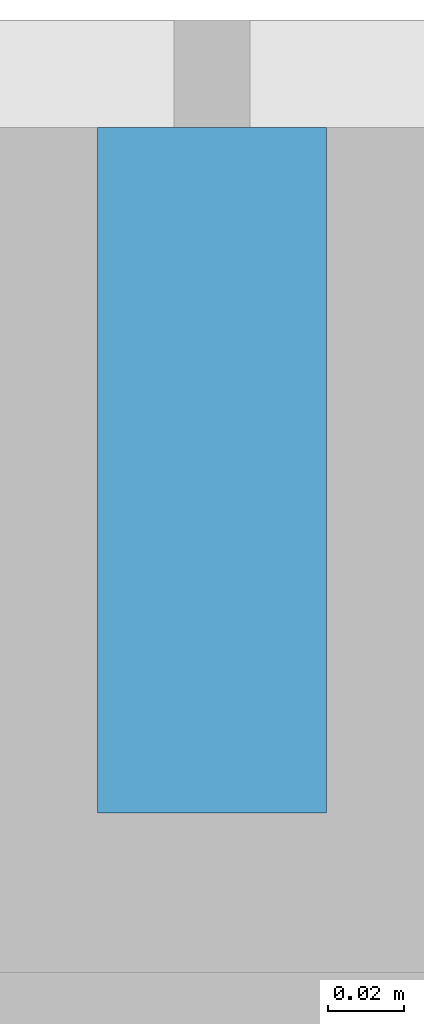
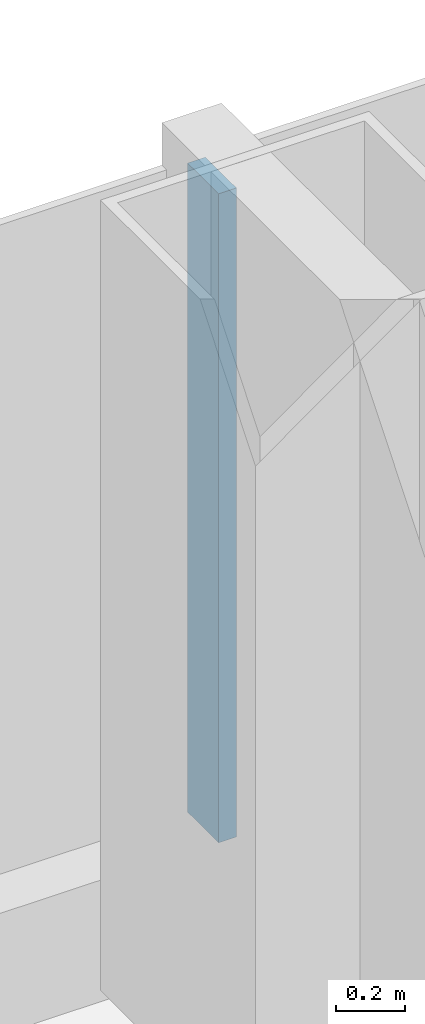
# One storey, part 7 of 29: 1 member, 1 element without a shape of its own.
"""IFC4 building model written with IfcOpenShell, lengths in metres."""

import ifcopenshell
import ifcopenshell.guid

model = None  # the IFC model being written
_history = None  # IfcOwnerHistory: only IFC2X3 demands one
_inside = {}  # id of a spatial element -> (the spatial element, [elements in it])
_under = {}  # id of a project, library or spatial element -> (it, [spatial elements below it])
_declared = {}  # id of a project -> (the project, [libraries it declares])
_typed = {}  # id of a type object -> (the type object, [elements of that type])
_made_of = {}  # id of a material, layer set ... -> (it, [elements and type objects made of it])


def new_model(schema):
    """Start an empty IFC model of exactly this schema.

    Asked for "IFC4X3", IfcOpenShell would pick the latest addendum, in which some entities
    have other attributes; the version numbers below select the first issue.
    IFC2X3 requires an IfcOwnerHistory on every rooted entity: one is made here for all.
    """
    global model, _history
    if schema == "IFC4X3":
        model = ifcopenshell.file(schema_version=(4, 3, 0, 0))
    else:
        model = ifcopenshell.file(schema=schema)
    _inside.clear()
    _under.clear()
    _declared.clear()
    _typed.clear()
    _made_of.clear()
    _history = None
    if model.schema == "IFC2X3":
        org = make("IfcOrganization", Name="unknown")
        user = make(
            "IfcPersonAndOrganization",
            ThePerson=make("IfcPerson", FamilyName="unknown"),
            TheOrganization=org,
        )
        app = make(
            "IfcApplication",
            ApplicationDeveloper=org,
            Version="unknown",
            ApplicationFullName="unknown",
            ApplicationIdentifier="unknown",
        )
        _history = make(
            "IfcOwnerHistory",
            OwningUser=user,
            OwningApplication=app,
            ChangeAction="ADDED",
            CreationDate=0,
        )
    return model


def make(cls, **values):
    """One entity of the class cls with the attributes given. An attribute that is None is left unset."""
    return model.create_entity(
        cls, **{name: value for name, value in values.items() if value is not None}
    )


def rooted(cls, **values):
    """An entity with a GlobalId (a new one), such as an element, a storey or a relation."""
    return make(cls, GlobalId=ifcopenshell.guid.new(), OwnerHistory=_history, **values)


def si_unit(unit_type, name, prefix=None):
    """IfcSIUnit, for example si_unit("LENGTHUNIT", "METRE", prefix="MILLI")."""
    return make("IfcSIUnit", UnitType=unit_type, Prefix=prefix, Name=name)


def assignment(units):
    """IfcUnitAssignment: the units of a project."""
    return None if units is None else make("IfcUnitAssignment", Units=units)


def point(xyz):
    """IfcCartesianPoint."""
    return None if xyz is None else make("IfcCartesianPoint", Coordinates=xyz)


def direction(xyz):
    """IfcDirection."""
    return None if xyz is None else make("IfcDirection", DirectionRatios=xyz)


def frame(location, z_axis=None, x_axis=None):
    """IfcAxis2Placement3D, a coordinate frame: its origin and axes. An axis left out is left unset."""
    return make(
        "IfcAxis2Placement3D",
        Location=point(location),
        Axis=direction(z_axis),
        RefDirection=direction(x_axis),
    )


def frame_2d(location, x_axis=None):
    """IfcAxis2Placement2D, a coordinate frame in the plane: its origin and x axis."""
    return make(
        "IfcAxis2Placement2D", Location=point(location), RefDirection=direction(x_axis)
    )


def origin():
    """The frame at (0, 0, 0) with its axes left unset."""
    return frame((0.0, 0.0, 0.0))


def origin_2d():
    """The frame at (0, 0) in the plane with its x axis left unset."""
    return frame_2d((0.0, 0.0))


def place(relative_to, where):
    """IfcLocalPlacement: puts the frame where relative to a parent placement (None: the world)."""
    return make(
        "IfcLocalPlacement", PlacementRelTo=relative_to, RelativePlacement=where
    )


def context(
    kind, dimensions, precision=None, world=None, true_north=None, identifier=None
):
    """IfcGeometricRepresentationContext, for example the 3D "Model" context."""
    return make(
        "IfcGeometricRepresentationContext",
        ContextIdentifier=identifier,
        ContextType=kind,
        CoordinateSpaceDimension=dimensions,
        Precision=precision,
        WorldCoordinateSystem=world,
        TrueNorth=true_north,
    )


def subcontext(parent, identifier, kind, view, scale=None):
    """IfcGeometricRepresentationSubContext, for example "Body" below "Model"."""
    return make(
        "IfcGeometricRepresentationSubContext",
        ContextIdentifier=identifier,
        ContextType=kind,
        ParentContext=parent,
        TargetScale=scale,
        TargetView=view,
    )


def project(units=None, contexts=None):
    """IfcProject with its units and contexts."""
    return rooted(
        "IfcProject",
        Name="project",
        RepresentationContexts=contexts,
        UnitsInContext=assignment(units),
    )


def spatial(cls, under=None, at=None, **own):
    """A site, building, storey or space (cls), placed at a placement, below another one or the project."""
    s = rooted(cls, ObjectPlacement=at, **own)
    if under is not None:
        _under.setdefault(under.id(), (under, []))[1].append(s)
    return s


def profile(cls, at=None, kind="AREA", **sizes):
    """A parametric profile (cls). Its sizes go by their IFC names, for example OverallWidth=200.0."""
    return make(cls, ProfileType=kind, Position=at, **sizes)


def rectangle(**sizes):
    """IfcRectangleProfileDef."""
    return profile("IfcRectangleProfileDef", **sizes)


def extrude(swept, where, along, depth):
    """IfcExtrudedAreaSolid: the profile swept, set in the frame where, extruded along a direction by depth."""
    return make(
        "IfcExtrudedAreaSolid",
        SweptArea=swept,
        Position=where,
        ExtrudedDirection=direction(along),
        Depth=depth,
    )


def shape(context_of_items, identifier, shape_type, items):
    """IfcShapeRepresentation: the items that make up one representation, for example the "Body"."""
    return make(
        "IfcShapeRepresentation",
        ContextOfItems=context_of_items,
        RepresentationIdentifier=identifier,
        RepresentationType=shape_type,
        Items=items,
    )


def material(Name=None, Category=None):
    """IfcMaterial."""
    return make("IfcMaterial", Name=Name, Category=Category)


def layer(
    of_material, thickness, ventilated=None, Name=None, Category=None, Priority=None
):
    """IfcMaterialLayer: one layer of a wall or slab, of a material (None: an air gap)."""
    return make(
        "IfcMaterialLayer",
        Material=of_material,
        LayerThickness=thickness,
        IsVentilated=ventilated,
        Name=Name,
        Category=Category,
        Priority=Priority,
    )


def layer_set(layers, Name=None):
    """IfcMaterialLayerSet."""
    return make("IfcMaterialLayerSet", MaterialLayers=layers, LayerSetName=Name)


def material_profile(
    of_material, cross_section, Name=None, Category=None, Priority=None
):
    """IfcMaterialProfile: a cross section and its material."""
    return make(
        "IfcMaterialProfile",
        Name=Name,
        Material=of_material,
        Profile=cross_section,
        Priority=Priority,
        Category=Category,
    )


def profile_set(profiles, Name=None, composite=None):
    """IfcMaterialProfileSet."""
    return make(
        "IfcMaterialProfileSet",
        Name=Name,
        MaterialProfiles=profiles,
        CompositeProfile=composite,
    )


def made_of(thing, what):
    """Note that an element or type object is made of a material, layer set ...; save() writes the relation."""
    if what is not None:
        _made_of.setdefault(what.id(), (what, []))[1].append(thing)
    return thing


def type_object(cls, material=None, **own):
    """A type object (cls), such as IfcWallType, which elements share."""
    return made_of(rooted(cls, **own), material)


def element(
    cls,
    number,
    at=None,
    inside=None,
    cuts=None,
    type_object=None,
    material=None,
    context=None,
    identifier="Body",
    shape_type=None,
    held_by="IfcProductDefinitionShape",
    body=None,
    shapes=None,
    **own,
):
    """One element of the class cls, such as IfcWall. Its Tag is "e" and its number.

    at: its placement. inside: the storey or other place that contains it. cuts: it is an
    opening in that element (IfcRelVoidsElement). A single representation is given by context,
    identifier, shape_type and body (its items); several are given by shapes. held_by: the class
    of the entity that holds the representations. save() writes the other relations.
    """
    e = rooted(cls, Tag="e%d" % number, ObjectPlacement=at, **own)
    if body is not None:
        shapes = [shape(context, identifier, shape_type, body)]
    if shapes is not None:
        e.Representation = make(held_by, Representations=shapes)
    if inside is not None:
        _inside.setdefault(inside.id(), (inside, []))[1].append(e)
    if cuts is not None:
        rooted(
            "IfcRelVoidsElement", RelatingBuildingElement=cuts, RelatedOpeningElement=e
        )
    if type_object is not None:
        _typed.setdefault(type_object.id(), (type_object, []))[1].append(e)
    return made_of(e, material)


def aggregate(whole, parts):
    """IfcRelAggregates: a whole, such as a stair, and the parts it consists of."""
    return rooted("IfcRelAggregates", RelatingObject=whole, RelatedObjects=parts)


def save(model, path):
    """Write the relations noted so far, then the file.

    IfcRelAggregates (storeys below a building ...), IfcRelContainedInSpatialStructure (elements
    in a storey), IfcRelDefinesByType, IfcRelAssociatesMaterial and IfcRelDeclares: one each for
    every whole, place, type object, material and project.
    """
    for whole, parts in _under.values():
        aggregate(whole, parts)
    for where, things in _inside.values():
        rooted(
            "IfcRelContainedInSpatialStructure",
            RelatedElements=things,
            RelatingStructure=where,
        )
    for kind, things in _typed.values():
        rooted("IfcRelDefinesByType", RelatedObjects=things, RelatingType=kind)
    for what, things in _made_of.values():
        rooted("IfcRelAssociatesMaterial", RelatedObjects=things, RelatingMaterial=what)
    for by, libraries in _declared.values():
        rooted("IfcRelDeclares", RelatingContext=by, RelatedDefinitions=libraries)
    model.write(path)


model = new_model("IFC4")

# Units and contexts
model_context = context("Model", 3, precision=1e-05, world=origin(), true_north=direction((0.0, 1.0)))
body_context = subcontext(model_context, "Body", "Model", "MODEL_VIEW")
ifc_project = project(units=[si_unit("LENGTHUNIT", "METRE"), si_unit("AREAUNIT", "SQUARE_METRE"), si_unit("VOLUMEUNIT", "CUBIC_METRE"), si_unit("PLANEANGLEUNIT", "RADIAN"), si_unit("MASSUNIT", "GRAM", prefix="KILO")], contexts=[model_context])

# Site, building, storey
site_placement = place(None, origin())
site = spatial("IfcSite", under=ifc_project, at=site_placement, CompositionType="ELEMENT")
building_placement = place(site_placement, origin())
building = spatial("IfcBuilding", under=site, at=building_placement, Name="Hakoniwa Tower and Hamabe Station Hall", CompositionType="ELEMENT")
storey_placement = place(building_placement, frame((0.0, 0.0, 23.0)))
storey = spatial("IfcBuildingStorey", under=building, at=storey_placement, Name="L05", CompositionType="ELEMENT", Elevation=23.0)

# Curtain wall, member
ifc_material_1 = material(Name="Dark low-e laminated glass", Category="glass")
ifc_layer = layer(ifc_material_1, 0.199951171875)
ifc_layer_set = layer_set([ifc_layer], Name="CW-1 UNITISED GUEST")
curtain_wall_type = type_object("IfcCurtainWallType", Name="CW-1 UNITISED GUEST", PredefinedType="NOTDEFINED", material=ifc_layer_set)
curtain_wall_placement = place(storey_placement, origin())
curtain_wall = element("IfcCurtainWall", 1, at=curtain_wall_placement, inside=storey, type_object=curtain_wall_type, Name="CW-1 curtain wall", PredefinedType="NOTDEFINED")
ifc_material_2 = material(Name="Aluminium 6063-T5 black anodised", Category="aluminium")
ifc_material_profile = material_profile(ifc_material_2, rectangle(XDim=0.06005859375, YDim=0.179931640625, at=origin_2d()), Name="CW-1 MULLION 60X180")
ifc_profile_set = profile_set([ifc_material_profile], Name="Aluminium 6063-T5 black anodised")
member_type = type_object("IfcMemberType", Name="CW-1 MULLION 60X180", PredefinedType="MULLION", material=ifc_profile_set)
member_placement = place(storey_placement, frame((0.0, 20.181884765625, 0.35009765625), z_axis=(0.0, 0.0, 1.0), x_axis=(-1.0, 0.0, 0.0)))
member = element("IfcMember", 2, at=member_placement, type_object=member_type, Name="CW-1 mullion", PredefinedType="MULLION", context=body_context, shape_type="SweptSolid", body=[
    extrude(rectangle(XDim=0.06005859375, YDim=0.179931640625, at=origin_2d()), origin(), (0.0, 0.0, 1.0), 2.2998046875),
])
aggregate(curtain_wall, [member])

save(model, "model.ifc")
